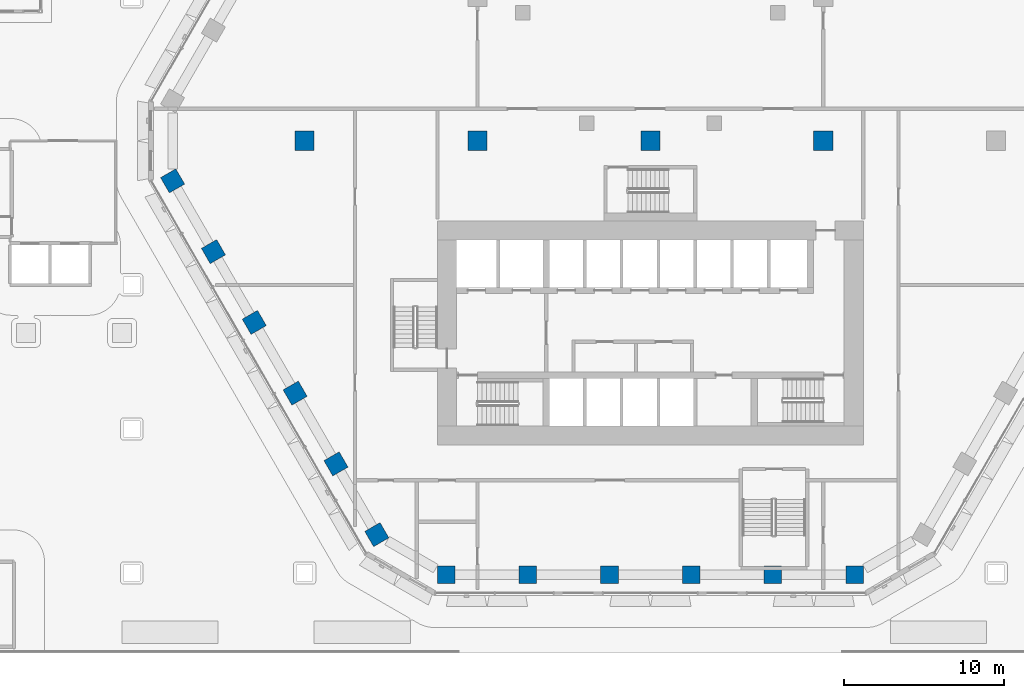
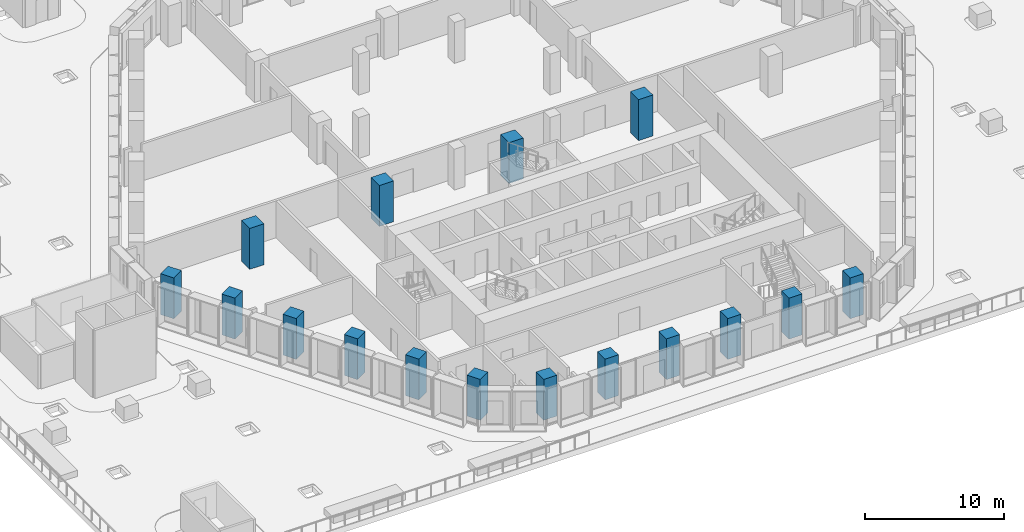
# One storey, part 1 of 38: 16 columns.
"""IFC4 building model written with IfcOpenShell, lengths in metres."""

from ifc_helpers import new_model, si_unit, direction, frame, origin, origin_2d, place, context, subcontext, project, spatial, rectangle, extrude, material, material_profile, profile_set, type_object, element, save


model = new_model("IFC4")

# Units and contexts
model_context = context("Model", 3, precision=1e-05, world=origin(), true_north=direction((0.0, 1.0)))
body_context = subcontext(model_context, "Body", "Model", "MODEL_VIEW")
ifc_project = project(units=[si_unit("LENGTHUNIT", "METRE"), si_unit("AREAUNIT", "SQUARE_METRE"), si_unit("VOLUMEUNIT", "CUBIC_METRE"), si_unit("PLANEANGLEUNIT", "RADIAN"), si_unit("MASSUNIT", "GRAM", prefix="KILO")], contexts=[model_context])

# Site, building, storey
site_placement = place(None, origin())
site = spatial("IfcSite", under=ifc_project, at=site_placement, CompositionType="ELEMENT")
building_placement = place(site_placement, origin())
building = spatial("IfcBuilding", under=site, at=building_placement, Name="Beryl Residences", CompositionType="ELEMENT")
storey_placement = place(building_placement, frame((0.0, 0.0, 9.0)))
storey = spatial("IfcBuildingStorey", under=building, at=storey_placement, Name="L02", CompositionType="ELEMENT", Elevation=9.0)

# Columns
ifc_material_1 = material(Name="Concrete C80/95", Category="concrete")
ifc_material_profile_1 = material_profile(ifc_material_1, rectangle(XDim=1.10009765625, YDim=1.10009765625, at=origin_2d()))
ifc_profile_set_1 = profile_set([ifc_material_profile_1], Name="Concrete C80/95")
column_type_1 = type_object("IfcColumnType", Name="C1 tube column 1100 x 1100 C80/95", PredefinedType="COLUMN", material=ifc_profile_set_1)
for number, where, z_axis, x_axis, name in (
    (1, (-29.847900390625, -2.5, 0.0), (0.0, 0.0, 1.0), (0.499984884929, -0.866034130299, 0.0), "C1-SW1 L02"),
    (2, (-27.297119140625, -6.9208984375, 0.0), (0.0, 0.0, 1.0), (0.499984884929, -0.866034130299, 0.0), "C1-SW2 L02"),
    (3, (-24.7451171875, -11.341064453125, 0.0), (0.0, 0.0, 1.0), (0.499984884929, -0.866034130299, 0.0), "C1-SW3 L02"),
    (4, (-22.193115234375, -15.760986328125, 0.0), (0.0, 0.0, 1.0), (0.499984884929, -0.866034130299, 0.0), "C1-SW4 L02"),
    (5, (-19.64111328125, -20.180908203125, 0.0), (0.0, 0.0, 1.0), (0.499984884929, -0.866034130299, 0.0), "C1-SW5 L02"),
    (6, (-17.089111328125, -24.60107421875, 0.0), (0.0, 0.0, 1.0), (0.499984884929, -0.866034130299, 0.0), "C1-SW6 L02"),
    (7, (-12.759033203125, -27.10009765625, 0.0), (0.0, 0.0, 1.0), (1.0, 0.0, 0.0), "C1-S1 L02"),
    (8, (-7.655029296875, -27.10009765625, 0.0), (0.0, 0.0, 1.0), (1.0, 0.0, 0.0), "C1-S2 L02"),
    (9, (-2.551025390625, -27.10009765625, 0.0), (0.0, 0.0, 1.0), (1.0, 0.0, 0.0), "C1-S3 L02"),
    (10, (2.552978515625, -27.10009765625, 0.0), (0.0, 0.0, 1.0), (1.0, 0.0, 0.0), "C1-S4 L02"),
    (11, (7.656982421875, -27.10009765625, 0.0), (0.0, 0.0, 1.0), (1.0, 0.0, 0.0), "C1-S5 L02"),
    (12, (12.760986328125, -27.10009765625, 0.0), (0.0, 0.0, 1.0), (1.0, 0.0, 0.0), "C1-S6 L02"),
):
    element("IfcColumn", number, at=place(storey_placement, frame(where, z_axis=z_axis, x_axis=x_axis)), inside=storey, type_object=column_type_1, Name=name, PredefinedType="COLUMN", context=body_context, shape_type="SweptSolid", body=[
        extrude(rectangle(XDim=1.10009765625, YDim=1.10009765625, at=origin_2d()), origin(), (0.0, 0.0, 1.0), 3.60009765625),
    ])
ifc_material_2 = material(Name="Concrete C80/95", Category="concrete")
ifc_material_profile_2 = material_profile(ifc_material_2, rectangle(XDim=1.199951171875, YDim=1.199951171875, at=origin_2d()))
ifc_profile_set_2 = profile_set([ifc_material_profile_2], Name="Concrete C80/95")
column_type_2 = type_object("IfcColumnType", Name="IG1 grid column 1200 x 1200 C80/95", PredefinedType="COLUMN", material=ifc_profile_set_2)
for number, where, z_axis, x_axis, name in (
    (13, (-21.60009765625, 0.0, 0.0), (0.0, 0.0, 1.0), (1.0, 0.0, 0.0), "IG-3D L02"),
    (14, (-10.800048828125, 0.0, 0.0), (0.0, 0.0, 1.0), (1.0, 0.0, 0.0), "IG-4D L02"),
    (15, (0.0, 0.0, 0.0), (0.0, 0.0, 1.0), (1.0, 0.0, 0.0), "IG-5D L02"),
    (16, (10.800048828125, 0.0, 0.0), (0.0, 0.0, 1.0), (1.0, 0.0, 0.0), "IG-6D L02"),
):
    element("IfcColumn", number, at=place(storey_placement, frame(where, z_axis=z_axis, x_axis=x_axis)), inside=storey, type_object=column_type_2, Name=name, PredefinedType="COLUMN", context=body_context, shape_type="SweptSolid", body=[
        extrude(rectangle(XDim=1.199951171875, YDim=1.199951171875, at=origin_2d()), origin(), (0.0, 0.0, 1.0), 3.60009765625),
    ])

save(model, "model.ifc")
